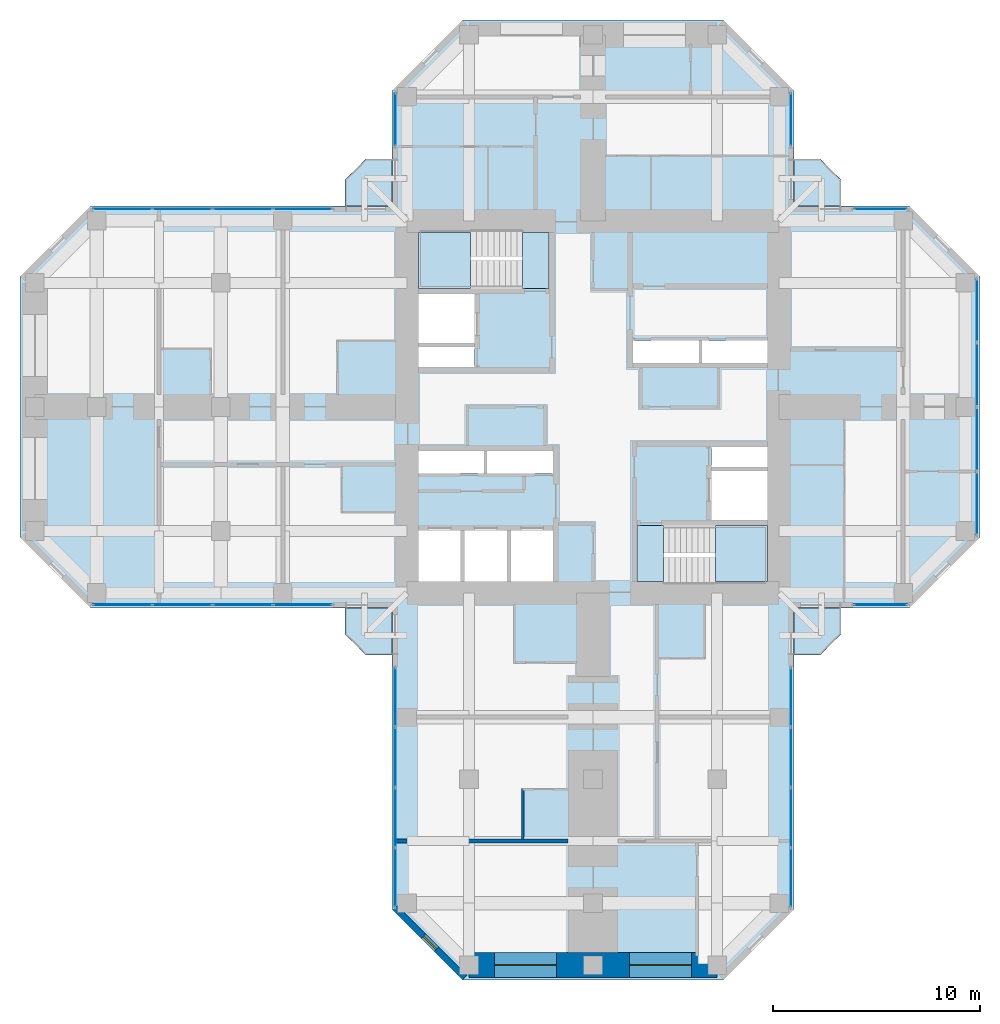
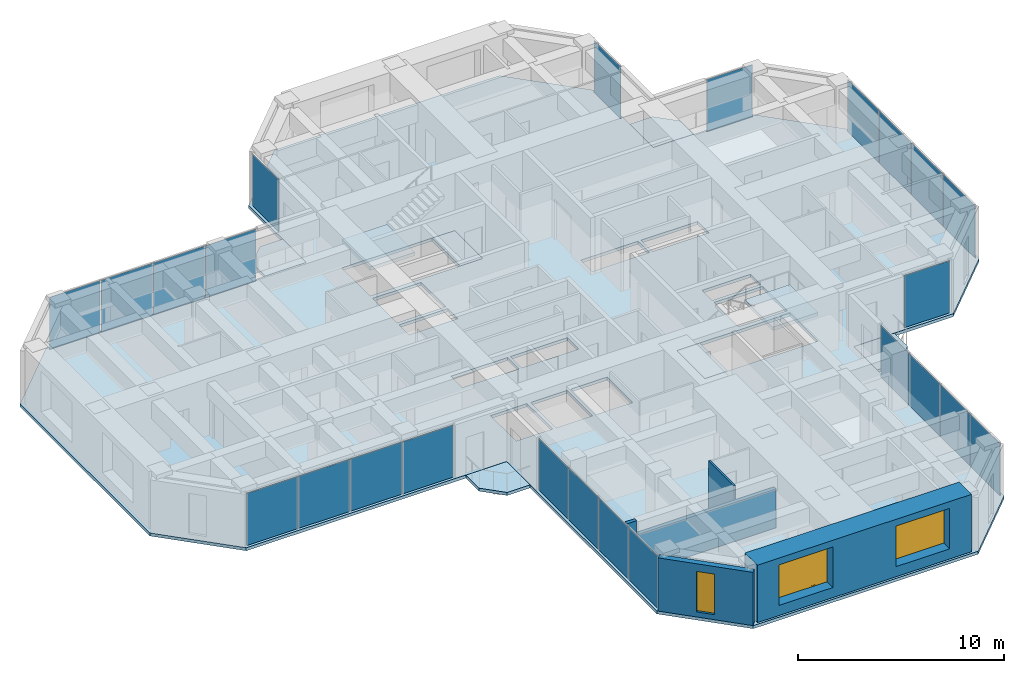
# One storey, part 7 of 14: 24 plates, 9 slabs, 5 walls, 3 windows, 3 openings, 11 elements without a shape of their own.
"""IFC4 building model written with IfcOpenShell, lengths in metres."""

from ifc_helpers import new_model, si_unit, direction, frame, frame_2d, origin, origin_2d, place, context, subcontext, project, spatial, polyline, rectangle, hollow_rectangle, outline, extrude, material, layer, layer_set, constituent, constituent_set, type_object, element, fill, aggregate, save


model = new_model("IFC4")

# Units and contexts
model_context = context("Model", 3, precision=1e-05, world=origin(), true_north=direction((0.0, 1.0)))
body_context = subcontext(model_context, "Body", "Model", "MODEL_VIEW")
ifc_project = project(units=[si_unit("LENGTHUNIT", "METRE"), si_unit("AREAUNIT", "SQUARE_METRE"), si_unit("VOLUMEUNIT", "CUBIC_METRE"), si_unit("PLANEANGLEUNIT", "RADIAN"), si_unit("MASSUNIT", "GRAM", prefix="KILO")], contexts=[model_context])

# Site, building, storey
site_placement = place(None, origin())
site = spatial("IfcSite", under=ifc_project, at=site_placement, CompositionType="ELEMENT")
building_placement = place(site_placement, origin())
building = spatial("IfcBuilding", under=site, at=building_placement, Name="Torre Cruceta", CompositionType="ELEMENT")
storey_placement = place(building_placement, frame((0.0, 0.0, 213.699951171875)))
storey = spatial("IfcBuildingStorey", under=building, at=storey_placement, Name="L54", CompositionType="ELEMENT", Elevation=213.699951171875)

# Slabs
ifc_material_1 = material(Name="Concrete G35 (fck 35 MPa)", Category="concrete")
ifc_layer_1 = layer(ifc_material_1, 0.179931640625)
ifc_layer_set_1 = layer_set([ifc_layer_1], Name="Concrete G35 (fck 35 MPa)")
slab_type_1 = type_object("IfcSlabType", Name="BALCONY SLAB 180", PredefinedType="USERDEFINED", material=ifc_layer_set_1)
slab_1_placement = place(storey_placement, frame((0.0, 0.0, -0.179931640625)))
element("IfcSlab", 1, at=slab_1_placement, inside=storey, type_object=slab_type_1, Name="Balcony slab L54 N", ObjectType="BALCONY", PredefinedType="USERDEFINED", context=body_context, shape_type="SweptSolid", body=[
    extrude(outline(polyline([(-12.0, 11.0), (-11.0, 12.0), (-9.719970703125, 12.0), (-9.719970703125, 9.719970703125), (-12.0, 9.719970703125), (-12.0, 11.0)])), origin(), (0.0, 0.0, 1.0), 0.179931640625),
])
slab_2_placement = place(storey_placement, frame((0.0, 0.0, -0.179931640625)))
element("IfcSlab", 2, at=slab_2_placement, inside=storey, type_object=slab_type_1, Name="Balcony slab L54 E", ObjectType="BALCONY", PredefinedType="USERDEFINED", context=body_context, shape_type="SweptSolid", body=[
    extrude(outline(polyline([(11.0, 12.0), (12.0, 11.0), (12.0, 9.719970703125), (9.719970703125, 9.719970703125), (9.719970703125, 12.0), (11.0, 12.0)])), origin(), (0.0, 0.0, 1.0), 0.179931640625),
])
slab_3_placement = place(storey_placement, frame((0.0, 0.0, -0.179931640625)))
element("IfcSlab", 3, at=slab_3_placement, inside=storey, type_object=slab_type_1, Name="Balcony slab L54 S", ObjectType="BALCONY", PredefinedType="USERDEFINED", context=body_context, shape_type="SweptSolid", body=[
    extrude(outline(polyline([(12.0, -11.0), (11.0, -12.0), (9.719970703125, -12.0), (9.719970703125, -9.719970703125), (12.0, -9.719970703125), (12.0, -11.0)])), origin(), (0.0, 0.0, 1.0), 0.179931640625),
])
slab_4_placement = place(storey_placement, frame((0.0, 0.0, -0.179931640625)))
element("IfcSlab", 4, at=slab_4_placement, inside=storey, type_object=slab_type_1, Name="Balcony slab L54 W", ObjectType="BALCONY", PredefinedType="USERDEFINED", context=body_context, shape_type="SweptSolid", body=[
    extrude(outline(polyline([(-11.0, -12.0), (-12.0, -11.0), (-12.0, -9.719970703125), (-9.719970703125, -9.719970703125), (-9.719970703125, -12.0), (-11.0, -12.0)])), origin(), (0.0, 0.0, 1.0), 0.179931640625),
])

# Curtain wall, plate
ifc_material_2 = material(Name="Aluminium unitised curtain wall", Category="aluminium")
curtain_wall_type = type_object("IfcCurtainWallType", Name="CURTAIN WALL CW-C CO-LIVING", PredefinedType="USERDEFINED", material=ifc_material_2)
curtain_wall_1_placement = place(storey_placement, origin())
curtain_wall_1 = element("IfcCurtainWall", 5, at=curtain_wall_1_placement, inside=storey, type_object=curtain_wall_type, Name="CW-C L54 E tip 02", ObjectType="UNITISED", PredefinedType="USERDEFINED")
ifc_material_3 = material(Name="Laminated insulating glass unit, low-iron clear", Category="glass")
ifc_material_4 = material(Name="Laminated insulating glass unit, diagonal frit 50 %", Category="glass")
ifc_layer_2 = layer(ifc_material_4, 0.030029296875)
ifc_layer_set_2 = layer_set([ifc_layer_2], Name="Laminated insulating glass unit, diagonal frit 50 %")
plate_type_1 = type_object("IfcPlateType", Name="CW-C OPERABLE VENT PANEL 30", PredefinedType="CURTAIN_PANEL", material=ifc_layer_set_2)
plate_1_placement = place(storey_placement, frame((18.570068359375, -1.55908203125, 0.010009765625), z_axis=(0.0, 0.0, 1.0), x_axis=(0.0, 1.0, 0.0)))
plate_1 = element("IfcPlate", 6, at=plate_1_placement, type_object=plate_type_1, material=ifc_material_3, Name="CW-C vent 2", PredefinedType="CURTAIN_PANEL", context=body_context, shape_type="SweptSolid", body=[
    extrude(rectangle(XDim=3.05810546875, YDim=0.030029296875, at=origin_2d()), origin(), (0.0, 0.0, 1.0), 3.080078125),
])

curtain_wall_2_placement = place(storey_placement, origin())
curtain_wall_2 = element("IfcCurtainWall", 7, at=curtain_wall_2_placement, inside=storey, type_object=curtain_wall_type, Name="CW-C L54 W side 10", ObjectType="UNITISED", PredefinedType="USERDEFINED")
plate_2_placement = place(storey_placement, frame((-16.94482421875, 9.570068359375, 0.010009765625), z_axis=(0.0, 0.0, 1.0), x_axis=(-1.0, 0.0, 0.0)))
plate_2 = element("IfcPlate", 8, at=plate_2_placement, type_object=plate_type_1, material=ifc_material_3, Name="CW-C vent 2", PredefinedType="CURTAIN_PANEL", context=body_context, shape_type="SweptSolid", body=[
    extrude(rectangle(XDim=2.8564453125, YDim=0.030029296875, at=origin_2d()), origin(), (0.0, 0.0, 1.0), 3.080078125),
])

curtain_wall_3_placement = place(storey_placement, origin())
curtain_wall_3 = element("IfcCurtainWall", 9, at=curtain_wall_3_placement, inside=storey, type_object=curtain_wall_type, Name="CW-C L54 W side 14", ObjectType="UNITISED", PredefinedType="USERDEFINED")
plate_3_placement = place(storey_placement, frame((-19.861328125, -9.570068359375, 0.010009765625), z_axis=(0.0, 0.0, 1.0), x_axis=(1.0, 0.0, 0.0)))
plate_3 = element("IfcPlate", 10, at=plate_3_placement, type_object=plate_type_1, material=ifc_material_3, Name="CW-C vent 2", PredefinedType="CURTAIN_PANEL", context=body_context, shape_type="SweptSolid", body=[
    extrude(rectangle(XDim=2.8564453125, YDim=0.030029296875, at=origin_2d()), origin(), (0.0, 0.0, 1.0), 3.080078125),
])

curtain_wall_4_placement = place(storey_placement, origin())
curtain_wall_4 = element("IfcCurtainWall", 11, at=curtain_wall_4_placement, inside=storey, type_object=curtain_wall_type, Name="CW-C L54 S side 15", ObjectType="UNITISED", PredefinedType="USERDEFINED")
plate_4_placement = place(storey_placement, frame((-9.570068359375, -16.94482421875, 0.010009765625), z_axis=(0.0, 0.0, 1.0), x_axis=(0.0, -1.0, 0.0)))
plate_4 = element("IfcPlate", 12, at=plate_4_placement, type_object=plate_type_1, material=ifc_material_3, Name="CW-C vent 2", PredefinedType="CURTAIN_PANEL", context=body_context, shape_type="SweptSolid", body=[
    extrude(rectangle(XDim=2.8564453125, YDim=0.030029296875, at=origin_2d()), origin(), (0.0, 0.0, 1.0), 3.080078125),
])

curtain_wall_5_placement = place(storey_placement, origin())
curtain_wall_5 = element("IfcCurtainWall", 13, at=curtain_wall_5_placement, inside=storey, type_object=curtain_wall_type, Name="CW-C L54 S side 19", ObjectType="UNITISED", PredefinedType="USERDEFINED")
plate_5_placement = place(storey_placement, frame((9.570068359375, -19.861328125, 0.010009765625), z_axis=(0.0, 0.0, 1.0), x_axis=(0.0, 1.0, 0.0)))
plate_5 = element("IfcPlate", 14, at=plate_5_placement, type_object=plate_type_1, material=ifc_material_3, Name="CW-C vent 2", PredefinedType="CURTAIN_PANEL", context=body_context, shape_type="SweptSolid", body=[
    extrude(rectangle(XDim=2.8564453125, YDim=0.030029296875, at=origin_2d()), origin(), (0.0, 0.0, 1.0), 3.080078125),
])

curtain_wall_6_placement = place(storey_placement, origin())
curtain_wall_6 = element("IfcCurtainWall", 15, at=curtain_wall_6_placement, inside=storey, type_object=curtain_wall_type, Name="CW-C L54 E side 00", ObjectType="UNITISED", PredefinedType="USERDEFINED")
ifc_material_5 = material(Name="Laminated insulating glass unit, diagonal frit 50 %", Category="glass")
ifc_layer_3 = layer(ifc_material_5, 0.030029296875)
ifc_layer_set_3 = layer_set([ifc_layer_3], Name="Laminated insulating glass unit, diagonal frit 50 %")
plate_type_2 = type_object("IfcPlateType", Name="CW-C PANEL 30", PredefinedType="CURTAIN_PANEL", material=ifc_layer_set_3)
plate_6_placement = place(storey_placement, frame((13.903076171875, -9.570068359375, 0.010009765625), z_axis=(0.0, 0.0, 1.0), x_axis=(1.0, 0.0, 0.0)))
plate_6 = element("IfcPlate", 16, at=plate_6_placement, type_object=plate_type_2, material=ifc_material_3, Name="CW-C panel 1", PredefinedType="CURTAIN_PANEL", context=body_context, shape_type="SweptSolid", body=[
    extrude(rectangle(XDim=2.546142578125, YDim=0.030029296875, at=origin_2d()), origin(), (0.0, 0.0, 1.0), 3.080078125),
])
aggregate(curtain_wall_6, [plate_6])

# Plate
plate_7_placement = place(storey_placement, frame((18.570068359375, -4.662109375, 0.010009765625), z_axis=(0.0, 0.0, 1.0), x_axis=(0.0, 1.0, 0.0)))
plate_7 = element("IfcPlate", 17, at=plate_7_placement, type_object=plate_type_2, material=ifc_material_3, Name="CW-C panel 1", PredefinedType="CURTAIN_PANEL", context=body_context, shape_type="SweptSolid", body=[
    extrude(rectangle(XDim=3.028076171875, YDim=0.030029296875, at=origin_2d()), origin(), (0.0, 0.0, 1.0), 3.080078125),
])

ifc_material_6 = material(Name="Laminated insulating glass unit, diagonal frit 50 %", Category="glass")
plate_8_placement = place(storey_placement, frame((18.570068359375, 1.55908203125, 0.010009765625), z_axis=(0.0, 0.0, 1.0), x_axis=(0.0, 1.0, 0.0)))
plate_8 = element("IfcPlate", 18, at=plate_8_placement, type_object=plate_type_2, material=ifc_material_6, Name="CW-C panel 3", PredefinedType="CURTAIN_PANEL", context=body_context, shape_type="SweptSolid", body=[
    extrude(rectangle(XDim=3.05810546875, YDim=0.030029296875, at=origin_2d()), origin(), (0.0, 0.0, 1.0), 3.080078125),
])

plate_9_placement = place(storey_placement, frame((18.570068359375, 4.662109375, 0.010009765625), z_axis=(0.0, 0.0, 1.0), x_axis=(0.0, 1.0, 0.0)))
plate_9 = element("IfcPlate", 19, at=plate_9_placement, type_object=plate_type_2, material=ifc_material_6, Name="CW-C panel 4", PredefinedType="CURTAIN_PANEL", context=body_context, shape_type="SweptSolid", body=[
    extrude(rectangle(XDim=3.028076171875, YDim=0.030029296875, at=origin_2d()), origin(), (0.0, 0.0, 1.0), 3.080078125),
])

aggregate(curtain_wall_1, [plate_7, plate_1, plate_8, plate_9])

# Curtain wall, plate
curtain_wall_7_placement = place(storey_placement, origin())
curtain_wall_7 = element("IfcCurtainWall", 20, at=curtain_wall_7_placement, inside=storey, type_object=curtain_wall_type, Name="CW-C L54 E side 04", ObjectType="UNITISED", PredefinedType="USERDEFINED")
plate_10_placement = place(storey_placement, frame((13.903076171875, 9.570068359375, 0.010009765625), z_axis=(0.0, 0.0, 1.0), x_axis=(-1.0, 0.0, 0.0)))
plate_10 = element("IfcPlate", 21, at=plate_10_placement, type_object=plate_type_2, material=ifc_material_3, Name="CW-C panel 1", PredefinedType="CURTAIN_PANEL", context=body_context, shape_type="SweptSolid", body=[
    extrude(rectangle(XDim=2.546142578125, YDim=0.030029296875, at=origin_2d()), origin(), (0.0, 0.0, 1.0), 3.080078125),
])
aggregate(curtain_wall_7, [plate_10])

curtain_wall_8_placement = place(storey_placement, origin())
curtain_wall_8 = element("IfcCurtainWall", 22, at=curtain_wall_8_placement, inside=storey, type_object=curtain_wall_type, Name="CW-C L54 N side 05", ObjectType="UNITISED", PredefinedType="USERDEFINED")
plate_11_placement = place(storey_placement, frame((9.570068359375, 13.903076171875, 0.010009765625), z_axis=(0.0, 0.0, 1.0), x_axis=(0.0, 1.0, 0.0)))
plate_11 = element("IfcPlate", 23, at=plate_11_placement, type_object=plate_type_2, material=ifc_material_3, Name="CW-C panel 1", PredefinedType="CURTAIN_PANEL", context=body_context, shape_type="SweptSolid", body=[
    extrude(rectangle(XDim=2.546142578125, YDim=0.030029296875, at=origin_2d()), origin(), (0.0, 0.0, 1.0), 3.080078125),
])
aggregate(curtain_wall_8, [plate_11])

curtain_wall_9_placement = place(storey_placement, origin())
curtain_wall_9 = element("IfcCurtainWall", 24, at=curtain_wall_9_placement, inside=storey, type_object=curtain_wall_type, Name="CW-C L54 N side 09", ObjectType="UNITISED", PredefinedType="USERDEFINED")
plate_12_placement = place(storey_placement, frame((-9.570068359375, 13.903076171875, 0.010009765625), z_axis=(0.0, 0.0, 1.0), x_axis=(0.0, -1.0, 0.0)))
plate_12 = element("IfcPlate", 25, at=plate_12_placement, type_object=plate_type_2, material=ifc_material_3, Name="CW-C panel 1", PredefinedType="CURTAIN_PANEL", context=body_context, shape_type="SweptSolid", body=[
    extrude(rectangle(XDim=2.546142578125, YDim=0.030029296875, at=origin_2d()), origin(), (0.0, 0.0, 1.0), 3.080078125),
])
aggregate(curtain_wall_9, [plate_12])

# Plate
plate_13_placement = place(storey_placement, frame((-14.043212890625, 9.570068359375, 0.010009765625), z_axis=(0.0, 0.0, 1.0), x_axis=(-1.0, 0.0, 0.0)))
plate_13 = element("IfcPlate", 26, at=plate_13_placement, type_object=plate_type_2, material=ifc_material_3, Name="CW-C panel 1", PredefinedType="CURTAIN_PANEL", context=body_context, shape_type="SweptSolid", body=[
    extrude(rectangle(XDim=2.826416015625, YDim=0.030029296875, at=origin_2d()), origin(), (0.0, 0.0, 1.0), 3.080078125),
])

plate_14_placement = place(storey_placement, frame((-19.861328125, 9.570068359375, 0.010009765625), z_axis=(0.0, 0.0, 1.0), x_axis=(-1.0, 0.0, 0.0)))
plate_14 = element("IfcPlate", 27, at=plate_14_placement, type_object=plate_type_2, material=ifc_material_6, Name="CW-C panel 3", PredefinedType="CURTAIN_PANEL", context=body_context, shape_type="SweptSolid", body=[
    extrude(rectangle(XDim=2.8564453125, YDim=0.030029296875, at=origin_2d()), origin(), (0.0, 0.0, 1.0), 3.080078125),
])

plate_15_placement = place(storey_placement, frame((-22.762939453125, 9.570068359375, 0.010009765625), z_axis=(0.0, 0.0, 1.0), x_axis=(-1.0, 0.0, 0.0)))
plate_15 = element("IfcPlate", 28, at=plate_15_placement, type_object=plate_type_2, material=ifc_material_6, Name="CW-C panel 4", PredefinedType="CURTAIN_PANEL", context=body_context, shape_type="SweptSolid", body=[
    extrude(rectangle(XDim=2.826416015625, YDim=0.030029296875, at=origin_2d()), origin(), (0.0, 0.0, 1.0), 3.080078125),
])

aggregate(curtain_wall_2, [plate_13, plate_2, plate_14, plate_15])

plate_16_placement = place(storey_placement, frame((-22.762939453125, -9.570068359375, 0.010009765625), z_axis=(0.0, 0.0, 1.0), x_axis=(1.0, 0.0, 0.0)))
plate_16 = element("IfcPlate", 29, at=plate_16_placement, type_object=plate_type_2, material=ifc_material_3, Name="CW-C panel 1", PredefinedType="CURTAIN_PANEL", context=body_context, shape_type="SweptSolid", body=[
    extrude(rectangle(XDim=2.826416015625, YDim=0.030029296875, at=origin_2d()), origin(), (0.0, 0.0, 1.0), 3.080078125),
])

plate_17_placement = place(storey_placement, frame((-16.94482421875, -9.570068359375, 0.010009765625), z_axis=(0.0, 0.0, 1.0), x_axis=(1.0, 0.0, 0.0)))
plate_17 = element("IfcPlate", 30, at=plate_17_placement, type_object=plate_type_2, material=ifc_material_6, Name="CW-C panel 3", PredefinedType="CURTAIN_PANEL", context=body_context, shape_type="SweptSolid", body=[
    extrude(rectangle(XDim=2.8564453125, YDim=0.030029296875, at=origin_2d()), origin(), (0.0, 0.0, 1.0), 3.080078125),
])

plate_18_placement = place(storey_placement, frame((-14.043212890625, -9.570068359375, 0.010009765625), z_axis=(0.0, 0.0, 1.0), x_axis=(1.0, 0.0, 0.0)))
plate_18 = element("IfcPlate", 31, at=plate_18_placement, type_object=plate_type_2, material=ifc_material_6, Name="CW-C panel 4", PredefinedType="CURTAIN_PANEL", context=body_context, shape_type="SweptSolid", body=[
    extrude(rectangle(XDim=2.826416015625, YDim=0.030029296875, at=origin_2d()), origin(), (0.0, 0.0, 1.0), 3.080078125),
])

aggregate(curtain_wall_3, [plate_16, plate_3, plate_17, plate_18])

plate_19_placement = place(storey_placement, frame((-9.570068359375, -14.043212890625, 0.010009765625), z_axis=(0.0, 0.0, 1.0), x_axis=(0.0, -1.0, 0.0)))
plate_19 = element("IfcPlate", 32, at=plate_19_placement, type_object=plate_type_2, material=ifc_material_3, Name="CW-C panel 1", PredefinedType="CURTAIN_PANEL", context=body_context, shape_type="SweptSolid", body=[
    extrude(rectangle(XDim=2.826416015625, YDim=0.030029296875, at=origin_2d()), origin(), (0.0, 0.0, 1.0), 3.080078125),
])

plate_20_placement = place(storey_placement, frame((-9.570068359375, -19.861328125, 0.010009765625), z_axis=(0.0, 0.0, 1.0), x_axis=(0.0, -1.0, 0.0)))
plate_20 = element("IfcPlate", 33, at=plate_20_placement, type_object=plate_type_2, material=ifc_material_6, Name="CW-C panel 3", PredefinedType="CURTAIN_PANEL", context=body_context, shape_type="SweptSolid", body=[
    extrude(rectangle(XDim=2.8564453125, YDim=0.030029296875, at=origin_2d()), origin(), (0.0, 0.0, 1.0), 3.080078125),
])

plate_21_placement = place(storey_placement, frame((-9.570068359375, -22.762939453125, 0.010009765625), z_axis=(0.0, 0.0, 1.0), x_axis=(0.0, -1.0, 0.0)))
plate_21 = element("IfcPlate", 34, at=plate_21_placement, type_object=plate_type_2, material=ifc_material_6, Name="CW-C panel 4", PredefinedType="CURTAIN_PANEL", context=body_context, shape_type="SweptSolid", body=[
    extrude(rectangle(XDim=2.826416015625, YDim=0.030029296875, at=origin_2d()), origin(), (0.0, 0.0, 1.0), 3.080078125),
])

aggregate(curtain_wall_4, [plate_19, plate_4, plate_20, plate_21])

plate_22_placement = place(storey_placement, frame((9.570068359375, -22.762939453125, 0.010009765625), z_axis=(0.0, 0.0, 1.0), x_axis=(0.0, 1.0, 0.0)))
plate_22 = element("IfcPlate", 35, at=plate_22_placement, type_object=plate_type_2, material=ifc_material_3, Name="CW-C panel 1", PredefinedType="CURTAIN_PANEL", context=body_context, shape_type="SweptSolid", body=[
    extrude(rectangle(XDim=2.826416015625, YDim=0.030029296875, at=origin_2d()), origin(), (0.0, 0.0, 1.0), 3.080078125),
])

plate_23_placement = place(storey_placement, frame((9.570068359375, -16.94482421875, 0.010009765625), z_axis=(0.0, 0.0, 1.0), x_axis=(0.0, 1.0, 0.0)))
plate_23 = element("IfcPlate", 36, at=plate_23_placement, type_object=plate_type_2, material=ifc_material_6, Name="CW-C panel 3", PredefinedType="CURTAIN_PANEL", context=body_context, shape_type="SweptSolid", body=[
    extrude(rectangle(XDim=2.8564453125, YDim=0.030029296875, at=origin_2d()), origin(), (0.0, 0.0, 1.0), 3.080078125),
])

plate_24_placement = place(storey_placement, frame((9.570068359375, -14.043212890625, 0.010009765625), z_axis=(0.0, 0.0, 1.0), x_axis=(0.0, 1.0, 0.0)))
plate_24 = element("IfcPlate", 37, at=plate_24_placement, type_object=plate_type_2, material=ifc_material_6, Name="CW-C panel 4", PredefinedType="CURTAIN_PANEL", context=body_context, shape_type="SweptSolid", body=[
    extrude(rectangle(XDim=2.826416015625, YDim=0.030029296875, at=origin_2d()), origin(), (0.0, 0.0, 1.0), 3.080078125),
])

aggregate(curtain_wall_5, [plate_22, plate_5, plate_23, plate_24])

# Slab
ifc_material_7 = material(Name="Concrete G35 (fck 35 MPa)", Category="concrete")
ifc_layer_4 = layer(ifc_material_7, 0.179931640625)
ifc_layer_set_4 = layer_set([ifc_layer_4], Name="Concrete G35 (fck 35 MPa)")
slab_type_2 = type_object("IfcSlabType", Name="FLOOR SLAB 180", PredefinedType="FLOOR", material=ifc_layer_set_4)
slab_5_placement = place(storey_placement, frame((0.0, 0.0, -0.179931640625)))
element("IfcSlab", 38, at=slab_5_placement, inside=storey, type_object=slab_type_2, Name="Floor Slab L54", PredefinedType="FLOOR", context=body_context, shape_type="SweptSolid", body=[
    extrude(outline(polyline([(9.719970703125, -9.719970703125), (9.719970703125, -24.29833984375), (6.29833984375, -27.719970703125), (-6.29833984375, -27.719970703125), (-9.719970703125, -24.29833984375), (-9.719970703125, -9.719970703125), (-24.29833984375, -9.719970703125), (-27.719970703125, -6.29833984375), (-27.719970703125, 6.29833984375), (-24.29833984375, 9.719970703125), (-9.719970703125, 9.719970703125), (-9.719970703125, 15.29833984375), (-6.29833984375, 18.719970703125), (6.29833984375, 18.719970703125), (9.719970703125, 15.29833984375), (9.719970703125, 9.719970703125), (15.29833984375, 9.719970703125), (18.719970703125, 6.29833984375), (18.719970703125, -6.29833984375), (15.29833984375, -9.719970703125), (9.719970703125, -9.719970703125)]), holes=[polyline([(1.925048828125, 2.125), (5.125, 2.125), (5.125, 3.22509765625), (1.925048828125, 3.22509765625), (1.925048828125, 2.125)]), polyline([(5.27490234375, 2.125), (8.449951171875, 2.125), (8.449951171875, 3.22509765625), (5.27490234375, 3.22509765625), (5.27490234375, 2.125)]), polyline([(-8.449951171875, 3.10009765625), (-5.72509765625, 3.10009765625), (-5.72509765625, 5.47509765625), (-8.449951171875, 5.47509765625), (-8.449951171875, 3.10009765625)]), polyline([(-8.449951171875, 1.925048828125), (-5.72509765625, 1.925048828125), (-5.72509765625, 2.89990234375), (-8.449951171875, 2.89990234375), (-8.449951171875, 1.925048828125)]), polyline([(-3.966552734375, -8.449951171875), (-1.925048828125, -8.449951171875), (-1.925048828125, -5.97509765625), (-3.966552734375, -5.97509765625), (-3.966552734375, -8.449951171875)]), polyline([(-6.208251953125, -8.449951171875), (-4.166748046875, -8.449951171875), (-4.166748046875, -5.97509765625), (-6.208251953125, -5.97509765625), (-6.208251953125, -8.449951171875)]), polyline([(-8.449951171875, -8.449951171875), (-6.408447265625, -8.449951171875), (-6.408447265625, -5.97509765625), (-8.449951171875, -5.97509765625), (-8.449951171875, -8.449951171875)]), polyline([(-5.125, -3.22509765625), (-1.925048828125, -3.22509765625), (-1.925048828125, -2.125), (-5.125, -2.125), (-5.125, -3.22509765625)]), polyline([(-8.449951171875, -3.22509765625), (-5.27490234375, -3.22509765625), (-5.27490234375, -2.125), (-8.449951171875, -2.125), (-8.449951171875, -3.22509765625)]), polyline([(5.72509765625, -5.47509765625), (8.449951171875, -5.47509765625), (8.449951171875, -3.10009765625), (5.72509765625, -3.10009765625), (5.72509765625, -5.47509765625)]), polyline([(5.72509765625, -2.89990234375), (8.449951171875, -2.89990234375), (8.449951171875, -1.925048828125), (5.72509765625, -1.925048828125), (5.72509765625, -2.89990234375)]), polyline([(-8.449951171875, 5.72509765625), (-8.449951171875, 8.449951171875), (-3.39990234375, 8.449951171875), (-2.125, 8.449951171875), (-2.125, 5.72509765625), (-3.39990234375, 5.72509765625), (-8.449951171875, 5.72509765625)]), polyline([(2.125, -5.72509765625), (3.39990234375, -5.72509765625), (8.449951171875, -5.72509765625), (8.449951171875, -8.449951171875), (3.39990234375, -8.449951171875), (2.125, -8.449951171875), (2.125, -5.72509765625)])]), origin(), (0.0, 0.0, 1.0), 0.179931640625),
])

# Stair, slab
ifc_material_8 = material(Name="Concrete G30 (fck 30 MPa)", Category="concrete")
stair_type = type_object("IfcStairType", Name="STAIR HALF-TURN 1300", PredefinedType="HALF_TURN_STAIR", material=ifc_material_8)
stair_1_placement = place(storey_placement, origin())
stair_1 = element("IfcStair", 39, at=stair_1_placement, inside=storey, type_object=stair_type, Name="Stair ST1 L54", PredefinedType="HALF_TURN_STAIR")
ifc_material_9 = material(Name="Concrete G30 (fck 30 MPa)", Category="concrete")
ifc_layer_5 = layer(ifc_material_9, 0.199951171875)
ifc_layer_set_5 = layer_set([ifc_layer_5], Name="Concrete G30 (fck 30 MPa)")
slab_type_3 = type_object("IfcSlabType", Name="STAIR LANDING 200", PredefinedType="LANDING", material=ifc_layer_set_5)
slab_6_placement = place(storey_placement, frame((0.0, 0.0, 1.5)))
slab_6 = element("IfcSlab", 40, at=slab_6_placement, type_object=slab_type_3, Name="ST1 landing 1", PredefinedType="LANDING", context=body_context, shape_type="SweptSolid", body=[
    extrude(outline(polyline([(-8.449951171875, 5.72509765625), (-5.919921875, 5.72509765625), (-5.919921875, 8.449951171875), (-8.449951171875, 8.449951171875), (-8.449951171875, 5.72509765625)])), origin(), (0.0, 0.0, 1.0), 0.199951171875),
])
aggregate(stair_1, [slab_6])

stair_2_placement = place(storey_placement, origin())
stair_2 = element("IfcStair", 41, at=stair_2_placement, inside=storey, type_object=stair_type, Name="Stair ST2 L54", PredefinedType="HALF_TURN_STAIR")
slab_7_placement = place(storey_placement, frame((0.0, 0.0, 1.5)))
slab_7 = element("IfcSlab", 42, at=slab_7_placement, type_object=slab_type_3, Name="ST2 landing 1", PredefinedType="LANDING", context=body_context, shape_type="SweptSolid", body=[
    extrude(outline(polyline([(5.919921875, -8.449951171875), (8.449951171875, -8.449951171875), (8.449951171875, -5.72509765625), (5.919921875, -5.72509765625), (5.919921875, -8.449951171875)])), origin(), (0.0, 0.0, 1.0), 0.199951171875),
])
aggregate(stair_2, [slab_7])

# Slabs
slab_8_placement = place(storey_placement, frame((0.0, 0.0, -0.199951171875)))
element("IfcSlab", 43, at=slab_8_placement, inside=storey, type_object=slab_type_3, Name="Stair ST1 floor landing L54", PredefinedType="LANDING", context=body_context, shape_type="SweptSolid", body=[
    extrude(outline(polyline([(-2.125, 8.449951171875), (-2.125, 5.72509765625), (-3.39990234375, 5.72509765625), (-3.39990234375, 8.449951171875), (-2.125, 8.449951171875)])), origin(), (0.0, 0.0, 1.0), 0.199951171875),
])
slab_9_placement = place(storey_placement, frame((0.0, 0.0, -0.199951171875)))
element("IfcSlab", 44, at=slab_9_placement, inside=storey, type_object=slab_type_3, Name="Stair ST2 floor landing L54", PredefinedType="LANDING", context=body_context, shape_type="SweptSolid", body=[
    extrude(outline(polyline([(2.125, -8.449951171875), (2.125, -5.72509765625), (3.39990234375, -5.72509765625), (3.39990234375, -8.449951171875), (2.125, -8.449951171875)])), origin(), (0.0, 0.0, 1.0), 0.199951171875),
])

# Wall
ifc_material_10 = material(Name="Water-resistant plasterboard on steel studs", Category="steel")
ifc_layer_6 = layer(ifc_material_10, 0.10009765625)
ifc_layer_set_6 = layer_set([ifc_layer_6], Name="Water-resistant plasterboard on steel studs")
wall_type_1 = type_object("IfcWallType", Name="BATHROOM WALL 100", PredefinedType="PARTITIONING", material=ifc_layer_set_6)
wall_1_placement = place(storey_placement, frame((-3.39990234375, -18.449951171875, 0.0), z_axis=(0.0, 0.0, 1.0), x_axis=(0.0, -1.0, 0.0)))
element("IfcWall", 45, at=wall_1_placement, inside=storey, type_object=wall_type_1, Name="PT4 L54-S-U2RBB", PredefinedType="PARTITIONING", context=body_context, shape_type="SweptSolid", body=[
    extrude(rectangle(XDim=2.449951171875, YDim=0.10009765625, at=frame_2d((1.22509765625, 0.0))), origin(), (0.0, 0.0, 1.0), 3.150146484375),
])

# Wall, opening, window
ifc_material_11 = material(Name="Concrete G30 (fck 30 MPa)", Category="concrete")
ifc_layer_7 = layer(ifc_material_11, 0.300048828125)
ifc_layer_set_7 = layer_set([ifc_layer_7], Name="Concrete G30 (fck 30 MPa)")
wall_type_2 = type_object("IfcWallType", Name="EXPOSED CONCRETE FACADE WALL 300", PredefinedType="SOLIDWALL", material=ifc_layer_set_7)
wall_2_placement = place(storey_placement, frame((-9.570068359375, -24.236083984375, 0.0), z_axis=(0.0, 0.0, 1.0), x_axis=(0.707106781187, -0.707106781187, 0.0)))
wall_2 = element("IfcWall", 46, at=wall_2_placement, inside=storey, type_object=wall_type_2, Name="EW1 facade wall L54 S chamfer 16", PredefinedType="SOLIDWALL", context=body_context, shape_type="SweptSolid", body=[
    extrude(rectangle(XDim=4.75732421875, YDim=0.300048828125, at=frame_2d((2.378662109375, 0.0))), origin(), (0.0, 0.0, 1.0), 3.150146484375),
])
opening_1_placement = place(wall_2_placement, frame((1.9287109375, 0.0, 0.300048828125)))
opening_1 = element("IfcOpeningElement", 47, at=opening_1_placement, cuts=wall_2, Name="Opening WN5", PredefinedType="OPENING", context=body_context, shape_type="SweptSolid", body=[
    extrude(rectangle(XDim=0.89990234375, YDim=2.39990234375, at=frame_2d((0.449951171875, 1.199951171875))), frame((0.0, 0.159912109375, 0.0), z_axis=(0.0, -1.0, 0.0), x_axis=(1.0, 0.0, 0.0)), (0.0, 0.0, 1.0), 0.320068359375),
])
ifc_material_12 = material(Name="Aluminium window frame", Category="aluminium")
ifc_constituent_1 = constituent(ifc_material_12, Name="Frame")
ifc_material_13 = material(Name="Laminated insulating glass unit, low-iron clear", Category="glass")
ifc_constituent_2 = constituent(ifc_material_13, Name="Glazing")
ifc_constituent_set_1 = constituent_set(constituents=[ifc_constituent_1, ifc_constituent_2], Name="Aluminium window")
window_type_1 = type_object("IfcWindowType", Name="CHAMFER SLOT WINDOW 900X2400", PartitioningType="SINGLE_PANEL", PredefinedType="WINDOW", material=ifc_constituent_set_1)
window_1_placement = place(opening_1_placement, origin())
window_1 = element("IfcWindow", 48, at=window_1_placement, inside=storey, type_object=window_type_1, Name="WN5 L54 S 1", OverallHeight=2.39990234375, OverallWidth=0.89990234375, PartitioningType="SINGLE_PANEL", PredefinedType="WINDOW", context=body_context, shape_type="SweptSolid", body=[
    extrude(hollow_rectangle(XDim=0.89990234375, YDim=2.39990234375, WallThickness=0.06005859375, at=frame_2d((0.449951171875, 1.199951171875))), frame((0.0, 0.030029296875, 0.0), z_axis=(0.0, -1.0, 0.0), x_axis=(1.0, 0.0, 0.0)), (0.0, 0.0, 1.0), 0.06005859375),
    extrude(rectangle(XDim=0.77880859375, YDim=2.27880859375, at=frame_2d((0.449951171875, 1.199951171875))), frame((0.0, 0.030029296875, 0.0), z_axis=(0.0, -1.0, 0.0), x_axis=(1.0, 0.0, 0.0)), (0.0, 0.0, 1.0), 0.06005859375),
])
fill(opening_1, window_1)

# Wall, openings, windows
ifc_material_14 = material(Name="Concrete G60 (fck 60 MPa)", Category="concrete")
ifc_layer_8 = layer(ifc_material_14, 1.199951171875)
ifc_layer_set_8 = layer_set([ifc_layer_8], Name="Concrete G60 (fck 60 MPa)")
wall_type_3 = type_object("IfcWallType", Name="NOSE WALL 1200 G60", PredefinedType="SHEAR", material=ifc_layer_set_8)
wall_3_placement = place(storey_placement, frame((-6.0, -27.0, 0.0), z_axis=(0.0, 0.0, 1.0), x_axis=(1.0, 0.0, 0.0)))
wall_3 = element("IfcWall", 49, at=wall_3_placement, inside=storey, type_object=wall_type_3, Name="NW1 nose wall L54 S", PredefinedType="SHEAR", context=body_context, shape_type="SweptSolid", body=[
    extrude(rectangle(XDim=12.0, YDim=1.199951171875, at=frame_2d((6.0, 0.0))), origin(), (0.0, 0.0, 1.0), 3.400146484375),
])
opening_2_placement = place(wall_3_placement, frame((1.22509765625, 0.0, 0.60009765625)))
opening_2 = element("IfcOpeningElement", 50, at=opening_2_placement, cuts=wall_3, Name="Opening WN6", PredefinedType="OPENING", context=body_context, shape_type="SweptSolid", body=[
    extrude(rectangle(XDim=3.0, YDim=2.39990234375, at=frame_2d((1.5, 1.199951171875))), frame((0.0, 0.60986328125, 0.0), z_axis=(0.0, -1.0, 0.0), x_axis=(1.0, 0.0, 0.0)), (0.0, 0.0, 1.0), 1.219970703125),
])
opening_3_placement = place(wall_3_placement, frame((7.77490234375, 0.0, 0.60009765625)))
opening_3 = element("IfcOpeningElement", 51, at=opening_3_placement, cuts=wall_3, Name="Opening WN6", PredefinedType="OPENING", context=body_context, shape_type="SweptSolid", body=[
    extrude(rectangle(XDim=3.0, YDim=2.39990234375, at=frame_2d((1.5, 1.199951171875))), frame((0.0, 0.60986328125, 0.0), z_axis=(0.0, -1.0, 0.0), x_axis=(1.0, 0.0, 0.0)), (0.0, 0.0, 1.0), 1.219970703125),
])
ifc_material_15 = material(Name="Aluminium window frame", Category="aluminium")
ifc_constituent_3 = constituent(ifc_material_15, Name="Frame")
ifc_material_16 = material(Name="Laminated insulating glass unit, low-iron clear", Category="glass")
ifc_constituent_4 = constituent(ifc_material_16, Name="Glazing")
ifc_constituent_set_2 = constituent_set(constituents=[ifc_constituent_3, ifc_constituent_4], Name="Aluminium window")
window_type_2 = type_object("IfcWindowType", Name="NOSE WALL WINDOW 3000X2400", PartitioningType="SINGLE_PANEL", PredefinedType="WINDOW", material=ifc_constituent_set_2)
window_2_placement = place(opening_2_placement, origin())
window_2 = element("IfcWindow", 52, at=window_2_placement, inside=storey, type_object=window_type_2, Name="WN6 L54 S 1", OverallHeight=2.39990234375, OverallWidth=3.0, PartitioningType="SINGLE_PANEL", PredefinedType="WINDOW", context=body_context, shape_type="SweptSolid", body=[
    extrude(hollow_rectangle(XDim=3.0, YDim=2.39990234375, WallThickness=0.06005859375, at=frame_2d((1.5, 1.199951171875))), frame((0.0, 0.030029296875, 0.0), z_axis=(0.0, -1.0, 0.0), x_axis=(1.0, 0.0, 0.0)), (0.0, 0.0, 1.0), 0.06005859375),
    extrude(rectangle(XDim=2.87890625, YDim=2.27880859375, at=frame_2d((1.5, 1.199951171875))), frame((0.0, 0.030029296875, 0.0), z_axis=(0.0, -1.0, 0.0), x_axis=(1.0, 0.0, 0.0)), (0.0, 0.0, 1.0), 0.06005859375),
])
fill(opening_2, window_2)
window_3_placement = place(opening_3_placement, origin())
window_3 = element("IfcWindow", 53, at=window_3_placement, inside=storey, type_object=window_type_2, Name="WN6 L54 S 2", OverallHeight=2.39990234375, OverallWidth=3.0, PartitioningType="SINGLE_PANEL", PredefinedType="WINDOW", context=body_context, shape_type="SweptSolid", body=[
    extrude(hollow_rectangle(XDim=3.0, YDim=2.39990234375, WallThickness=0.06005859375, at=frame_2d((1.5, 1.199951171875))), frame((0.0, 0.030029296875, 0.0), z_axis=(0.0, -1.0, 0.0), x_axis=(1.0, 0.0, 0.0)), (0.0, 0.0, 1.0), 0.06005859375),
    extrude(rectangle(XDim=2.87890625, YDim=2.27880859375, at=frame_2d((1.5, 1.199951171875))), frame((0.0, 0.030029296875, 0.0), z_axis=(0.0, -1.0, 0.0), x_axis=(1.0, 0.0, 0.0)), (0.0, 0.0, 1.0), 0.06005859375),
])
fill(opening_3, window_3)

# Walls
ifc_material_17 = material(Name="Concrete G25 (fck 25 MPa)", Category="concrete")
ifc_layer_9 = layer(ifc_material_17, 0.199951171875)
ifc_layer_set_9 = layer_set([ifc_layer_9], Name="Concrete G25 (fck 25 MPa)")
wall_type_4 = type_object("IfcWallType", Name="UNIT SEPARATING WALL 200", PredefinedType="SOLIDWALL", material=ifc_layer_set_9)
wall_4_placement = place(storey_placement, frame((-9.530029296875, -21.0, 0.0), z_axis=(0.0, 0.0, 1.0), x_axis=(1.0, 0.0, 0.0)))
element("IfcWall", 54, at=wall_4_placement, inside=storey, type_object=wall_type_4, Name="PT2 L54-S-ENDa", PredefinedType="SOLIDWALL", context=body_context, shape_type="SweptSolid", body=[
    extrude(rectangle(XDim=0.530029296875, YDim=0.199951171875, at=frame_2d((0.26513671875, 0.0))), origin(), (0.0, 0.0, 1.0), 3.150146484375),
])
wall_5_placement = place(storey_placement, frame((-9.0, -21.0, 0.0), z_axis=(0.0, 0.0, 1.0), x_axis=(1.0, 0.0, 0.0)))
element("IfcWall", 55, at=wall_5_placement, inside=storey, type_object=wall_type_4, Name="PT2 L54-S-ENDa 2", PredefinedType="SOLIDWALL", context=body_context, shape_type="SweptSolid", body=[
    extrude(rectangle(XDim=7.800048828125, YDim=0.199951171875, at=frame_2d((3.89990234375, 0.0))), origin(), (0.0, 0.0, 1.0), 2.300048828125),
])

save(model, "model.ifc")
